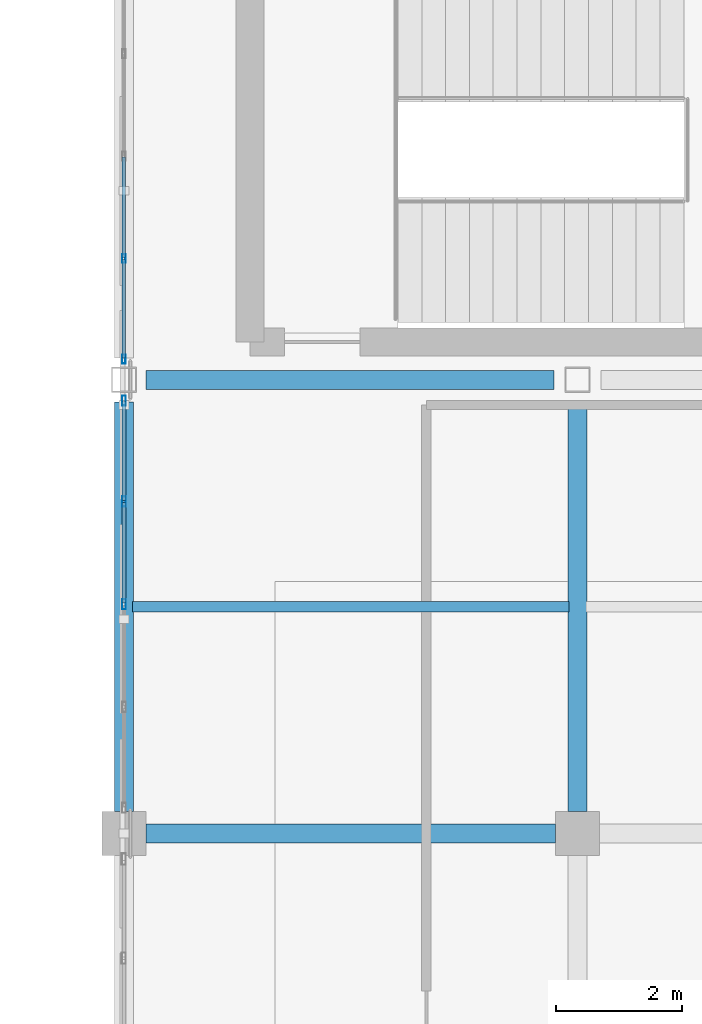
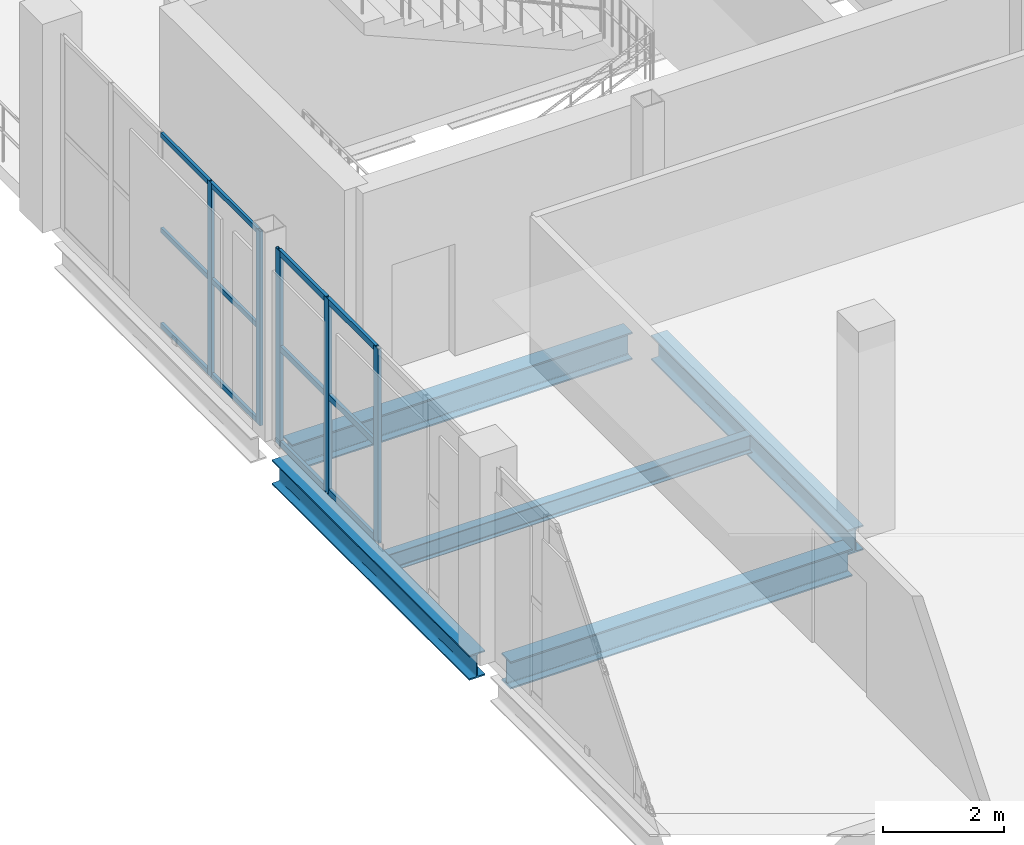
# One storey, part 76 of 130: 17 members, 5 beams, 2 elements without a shape of their own.
"""IFC4 building model written with IfcOpenShell, lengths in metres."""

import ifcopenshell
import ifcopenshell.guid

model = None  # the IFC model being written
_history = None  # IfcOwnerHistory: only IFC2X3 demands one
_inside = {}  # id of a spatial element -> (the spatial element, [elements in it])
_under = {}  # id of a project, library or spatial element -> (it, [spatial elements below it])
_declared = {}  # id of a project -> (the project, [libraries it declares])
_typed = {}  # id of a type object -> (the type object, [elements of that type])
_made_of = {}  # id of a material, layer set ... -> (it, [elements and type objects made of it])


def new_model(schema):
    """Start an empty IFC model of exactly this schema.

    Asked for "IFC4X3", IfcOpenShell would pick the latest addendum, in which some entities
    have other attributes; the version numbers below select the first issue.
    IFC2X3 requires an IfcOwnerHistory on every rooted entity: one is made here for all.
    """
    global model, _history
    if schema == "IFC4X3":
        model = ifcopenshell.file(schema_version=(4, 3, 0, 0))
    else:
        model = ifcopenshell.file(schema=schema)
    _inside.clear()
    _under.clear()
    _declared.clear()
    _typed.clear()
    _made_of.clear()
    _history = None
    if model.schema == "IFC2X3":
        org = make("IfcOrganization", Name="unknown")
        user = make(
            "IfcPersonAndOrganization",
            ThePerson=make("IfcPerson", FamilyName="unknown"),
            TheOrganization=org,
        )
        app = make(
            "IfcApplication",
            ApplicationDeveloper=org,
            Version="unknown",
            ApplicationFullName="unknown",
            ApplicationIdentifier="unknown",
        )
        _history = make(
            "IfcOwnerHistory",
            OwningUser=user,
            OwningApplication=app,
            ChangeAction="ADDED",
            CreationDate=0,
        )
    return model


def make(cls, **values):
    """One entity of the class cls with the attributes given. An attribute that is None is left unset."""
    return model.create_entity(
        cls, **{name: value for name, value in values.items() if value is not None}
    )


def rooted(cls, **values):
    """An entity with a GlobalId (a new one), such as an element, a storey or a relation."""
    return make(cls, GlobalId=ifcopenshell.guid.new(), OwnerHistory=_history, **values)


def si_unit(unit_type, name, prefix=None):
    """IfcSIUnit, for example si_unit("LENGTHUNIT", "METRE", prefix="MILLI")."""
    return make("IfcSIUnit", UnitType=unit_type, Prefix=prefix, Name=name)


def assignment(units):
    """IfcUnitAssignment: the units of a project."""
    return None if units is None else make("IfcUnitAssignment", Units=units)


def point(xyz):
    """IfcCartesianPoint."""
    return None if xyz is None else make("IfcCartesianPoint", Coordinates=xyz)


def direction(xyz):
    """IfcDirection."""
    return None if xyz is None else make("IfcDirection", DirectionRatios=xyz)


def frame(location, z_axis=None, x_axis=None):
    """IfcAxis2Placement3D, a coordinate frame: its origin and axes. An axis left out is left unset."""
    return make(
        "IfcAxis2Placement3D",
        Location=point(location),
        Axis=direction(z_axis),
        RefDirection=direction(x_axis),
    )


def frame_2d(location, x_axis=None):
    """IfcAxis2Placement2D, a coordinate frame in the plane: its origin and x axis."""
    return make(
        "IfcAxis2Placement2D", Location=point(location), RefDirection=direction(x_axis)
    )


def origin():
    """The frame at (0, 0, 0) with its axes left unset."""
    return frame((0.0, 0.0, 0.0))


def origin_2d():
    """The frame at (0, 0) in the plane with its x axis left unset."""
    return frame_2d((0.0, 0.0))


def place(relative_to, where):
    """IfcLocalPlacement: puts the frame where relative to a parent placement (None: the world)."""
    return make(
        "IfcLocalPlacement", PlacementRelTo=relative_to, RelativePlacement=where
    )


def context(
    kind, dimensions, precision=None, world=None, true_north=None, identifier=None
):
    """IfcGeometricRepresentationContext, for example the 3D "Model" context."""
    return make(
        "IfcGeometricRepresentationContext",
        ContextIdentifier=identifier,
        ContextType=kind,
        CoordinateSpaceDimension=dimensions,
        Precision=precision,
        WorldCoordinateSystem=world,
        TrueNorth=true_north,
    )


def subcontext(parent, identifier, kind, view, scale=None):
    """IfcGeometricRepresentationSubContext, for example "Body" below "Model"."""
    return make(
        "IfcGeometricRepresentationSubContext",
        ContextIdentifier=identifier,
        ContextType=kind,
        ParentContext=parent,
        TargetScale=scale,
        TargetView=view,
    )


def project(units=None, contexts=None):
    """IfcProject with its units and contexts."""
    return rooted(
        "IfcProject",
        Name="project",
        RepresentationContexts=contexts,
        UnitsInContext=assignment(units),
    )


def spatial(cls, under=None, at=None, **own):
    """A site, building, storey or space (cls), placed at a placement, below another one or the project."""
    s = rooted(cls, ObjectPlacement=at, **own)
    if under is not None:
        _under.setdefault(under.id(), (under, []))[1].append(s)
    return s


def profile(cls, at=None, kind="AREA", **sizes):
    """A parametric profile (cls). Its sizes go by their IFC names, for example OverallWidth=200.0."""
    return make(cls, ProfileType=kind, Position=at, **sizes)


def hollow_rectangle(**sizes):
    """IfcRectangleHollowProfileDef."""
    return profile("IfcRectangleHollowProfileDef", **sizes)


def i_section(**sizes):
    """IfcIShapeProfileDef."""
    return profile("IfcIShapeProfileDef", **sizes)


def extrude(swept, where, along, depth):
    """IfcExtrudedAreaSolid: the profile swept, set in the frame where, extruded along a direction by depth."""
    return make(
        "IfcExtrudedAreaSolid",
        SweptArea=swept,
        Position=where,
        ExtrudedDirection=direction(along),
        Depth=depth,
    )


def shape(context_of_items, identifier, shape_type, items):
    """IfcShapeRepresentation: the items that make up one representation, for example the "Body"."""
    return make(
        "IfcShapeRepresentation",
        ContextOfItems=context_of_items,
        RepresentationIdentifier=identifier,
        RepresentationType=shape_type,
        Items=items,
    )


def material(Name=None, Category=None):
    """IfcMaterial."""
    return make("IfcMaterial", Name=Name, Category=Category)


def material_profile(
    of_material, cross_section, Name=None, Category=None, Priority=None
):
    """IfcMaterialProfile: a cross section and its material."""
    return make(
        "IfcMaterialProfile",
        Name=Name,
        Material=of_material,
        Profile=cross_section,
        Priority=Priority,
        Category=Category,
    )


def profile_set(profiles, Name=None, composite=None):
    """IfcMaterialProfileSet."""
    return make(
        "IfcMaterialProfileSet",
        Name=Name,
        MaterialProfiles=profiles,
        CompositeProfile=composite,
    )


def made_of(thing, what):
    """Note that an element or type object is made of a material, layer set ...; save() writes the relation."""
    if what is not None:
        _made_of.setdefault(what.id(), (what, []))[1].append(thing)
    return thing


def type_object(cls, material=None, **own):
    """A type object (cls), such as IfcWallType, which elements share."""
    return made_of(rooted(cls, **own), material)


def element(
    cls,
    number,
    at=None,
    inside=None,
    cuts=None,
    type_object=None,
    material=None,
    context=None,
    identifier="Body",
    shape_type=None,
    held_by="IfcProductDefinitionShape",
    body=None,
    shapes=None,
    **own,
):
    """One element of the class cls, such as IfcWall. Its Tag is "e" and its number.

    at: its placement. inside: the storey or other place that contains it. cuts: it is an
    opening in that element (IfcRelVoidsElement). A single representation is given by context,
    identifier, shape_type and body (its items); several are given by shapes. held_by: the class
    of the entity that holds the representations. save() writes the other relations.
    """
    e = rooted(cls, Tag="e%d" % number, ObjectPlacement=at, **own)
    if body is not None:
        shapes = [shape(context, identifier, shape_type, body)]
    if shapes is not None:
        e.Representation = make(held_by, Representations=shapes)
    if inside is not None:
        _inside.setdefault(inside.id(), (inside, []))[1].append(e)
    if cuts is not None:
        rooted(
            "IfcRelVoidsElement", RelatingBuildingElement=cuts, RelatedOpeningElement=e
        )
    if type_object is not None:
        _typed.setdefault(type_object.id(), (type_object, []))[1].append(e)
    return made_of(e, material)


def aggregate(whole, parts):
    """IfcRelAggregates: a whole, such as a stair, and the parts it consists of."""
    return rooted("IfcRelAggregates", RelatingObject=whole, RelatedObjects=parts)


def save(model, path):
    """Write the relations noted so far, then the file.

    IfcRelAggregates (storeys below a building ...), IfcRelContainedInSpatialStructure (elements
    in a storey), IfcRelDefinesByType, IfcRelAssociatesMaterial and IfcRelDeclares: one each for
    every whole, place, type object, material and project.
    """
    for whole, parts in _under.values():
        aggregate(whole, parts)
    for where, things in _inside.values():
        rooted(
            "IfcRelContainedInSpatialStructure",
            RelatedElements=things,
            RelatingStructure=where,
        )
    for kind, things in _typed.values():
        rooted("IfcRelDefinesByType", RelatedObjects=things, RelatingType=kind)
    for what, things in _made_of.values():
        rooted("IfcRelAssociatesMaterial", RelatedObjects=things, RelatingMaterial=what)
    for by, libraries in _declared.values():
        rooted("IfcRelDeclares", RelatingContext=by, RelatedDefinitions=libraries)
    model.write(path)


model = new_model("IFC4")

# Units and contexts
model_context = context("Model", 3, precision=1e-05, world=origin(), true_north=direction((0.0, 1.0)))
body_context = subcontext(model_context, "Body", "Model", "MODEL_VIEW")
ifc_project = project(units=[si_unit("LENGTHUNIT", "METRE"), si_unit("AREAUNIT", "SQUARE_METRE"), si_unit("VOLUMEUNIT", "CUBIC_METRE"), si_unit("PLANEANGLEUNIT", "RADIAN"), si_unit("MASSUNIT", "GRAM", prefix="KILO")], contexts=[model_context])

# Site, building, storey
site_placement = place(None, origin())
site = spatial("IfcSite", under=ifc_project, at=site_placement, CompositionType="ELEMENT")
building_placement = place(site_placement, origin())
building = spatial("IfcBuilding", under=site, at=building_placement, Name="Qandorah Velis Arena", CompositionType="ELEMENT")
storey_placement = place(building_placement, frame((0.0, 0.0, 9.60009765625)))
storey = spatial("IfcBuildingStorey", under=building, at=storey_placement, Name="L02", CompositionType="ELEMENT", Elevation=9.60009765625)

# Curtain wall, members
ifc_material_1 = material(Name="Solar-control low-E double glazing", Category="glass")
curtain_wall_type_1 = type_object("IfcCurtainWallType", Name="ARC-CW-SYS08", PredefinedType="USERDEFINED", material=ifc_material_1)
curtain_wall_1_placement = place(storey_placement, origin())
curtain_wall_1 = element("IfcCurtainWall", 1, at=curtain_wall_1_placement, inside=storey, type_object=curtain_wall_type_1, Name="Unitised curtain wall L02-128", ObjectType="UNITISED CURTAIN WALL", PredefinedType="USERDEFINED")
ifc_material_2 = material(Name="Champagne-bronze anodized aluminium 6063-T6", Category="aluminium")
ifc_material_profile_1 = material_profile(ifc_material_2, hollow_rectangle(XDim=0.054931640625, YDim=0.139892578125, WallThickness=0.0029296875, at=origin_2d()), Name="ALU MULLION 55x140")
ifc_profile_set_1 = profile_set([ifc_material_profile_1], Name="Champagne-bronze anodized aluminium 6063-T6")
member_type_1 = type_object("IfcMemberType", Name="ARC-CWM-140", PredefinedType="MULLION", material=ifc_profile_set_1)
member_1_placement = place(storey_placement, frame((151.199951171875, 79.527587890625, -0.01513671875), z_axis=(0.0, 0.0, 1.0), x_axis=(-1.0, 0.0, 0.0)))
member_1 = element("IfcMember", 2, at=member_1_placement, type_object=member_type_1, Name="CW08 mullion 1", PredefinedType="MULLION", context=body_context, shape_type="SweptSolid", body=[
    extrude(hollow_rectangle(XDim=0.054931640625, YDim=0.139892578125, WallThickness=0.0029296875, at=origin_2d()), origin(), (0.0, 0.0, 1.0), 3.91015625),
])
member_2_placement = place(storey_placement, frame((151.199951171875, 81.125, -0.01513671875), z_axis=(0.0, 0.0, 1.0), x_axis=(-1.0, 0.0, 0.0)))
member_2 = element("IfcMember", 3, at=member_2_placement, type_object=member_type_1, Name="CW08 mullion 2", PredefinedType="MULLION", context=body_context, shape_type="SweptSolid", body=[
    extrude(hollow_rectangle(XDim=0.054931640625, YDim=0.139892578125, WallThickness=0.0029296875, at=origin_2d()), origin(), (0.0, 0.0, 1.0), 3.91015625),
])

curtain_wall_type_2 = type_object("IfcCurtainWallType", Name="ARC-CW-SYS07", PredefinedType="USERDEFINED", material=ifc_material_1)
curtain_wall_2_placement = place(storey_placement, origin())
curtain_wall_2 = element("IfcCurtainWall", 4, at=curtain_wall_2_placement, inside=storey, type_object=curtain_wall_type_2, Name="Unitised curtain wall L02-127", ObjectType="UNITISED CURTAIN WALL", PredefinedType="USERDEFINED")
ifc_material_profile_2 = material_profile(ifc_material_2, hollow_rectangle(XDim=0.06005859375, YDim=0.159912109375, WallThickness=0.00341796875, at=origin_2d()), Name="ALU MULLION 60x160")
ifc_profile_set_2 = profile_set([ifc_material_profile_2], Name="Champagne-bronze anodized aluminium 6063-T6")
member_type_2 = type_object("IfcMemberType", Name="ARC-CWM-160", PredefinedType="MULLION", material=ifc_profile_set_2)
member_3_placement = place(storey_placement, frame((151.199951171875, 75.637451171875, -0.01513671875), z_axis=(0.0, 0.0, 1.0), x_axis=(-1.0, 0.0, 0.0)))
member_3 = element("IfcMember", 5, at=member_3_placement, type_object=member_type_2, Name="CW07 mullion 3", PredefinedType="MULLION", context=body_context, shape_type="SweptSolid", body=[
    extrude(hollow_rectangle(XDim=0.06005859375, YDim=0.159912109375, WallThickness=0.00341796875, at=origin_2d()), origin(), (0.0, 0.0, 1.0), 3.91015625),
])
member_4_placement = place(storey_placement, frame((151.199951171875, 77.268798828125, -0.01513671875), z_axis=(0.0, 0.0, 1.0), x_axis=(-1.0, 0.0, 0.0)))
member_4 = element("IfcMember", 6, at=member_4_placement, type_object=member_type_2, Name="CW07 mullion 4", PredefinedType="MULLION", context=body_context, shape_type="SweptSolid", body=[
    extrude(hollow_rectangle(XDim=0.06005859375, YDim=0.159912109375, WallThickness=0.00341796875, at=origin_2d()), origin(), (0.0, 0.0, 1.0), 3.91015625),
])
member_5_placement = place(storey_placement, frame((151.199951171875, 78.8701171875, -0.01513671875), z_axis=(0.0, 0.0, 1.0), x_axis=(-1.0, 0.0, 0.0)))
member_5 = element("IfcMember", 7, at=member_5_placement, type_object=member_type_2, Name="CW07 mullion 5", PredefinedType="MULLION", context=body_context, shape_type="SweptSolid", body=[
    extrude(hollow_rectangle(XDim=0.06005859375, YDim=0.159912109375, WallThickness=0.00341796875, at=origin_2d()), origin(), (0.0, 0.0, 1.0), 3.91015625),
])

# Member
ifc_material_profile_3 = material_profile(ifc_material_2, hollow_rectangle(XDim=0.054931640625, YDim=0.10009765625, WallThickness=0.0029296875, at=origin_2d()), Name="ALU TRANSOM 55x100")
ifc_profile_set_3 = profile_set([ifc_material_profile_3], Name="Champagne-bronze anodized aluminium 6063-T6")
member_type_3 = type_object("IfcMemberType", Name="ARC-CWT-100", PredefinedType="USERDEFINED", material=ifc_profile_set_3)
member_6_placement = place(storey_placement, frame((151.199951171875, 79.54296875, 0.02734375), z_axis=(0.0, 1.0, 0.0), x_axis=(-1.0, 0.0, 0.0)))
member_6 = element("IfcMember", 8, at=member_6_placement, type_object=member_type_3, Name="CW08 transom 1.1", ObjectType="TRANSOM", PredefinedType="USERDEFINED", context=body_context, shape_type="SweptSolid", body=[
    extrude(hollow_rectangle(XDim=0.054931640625, YDim=0.10009765625, WallThickness=0.0029296875, at=origin_2d()), origin(), (0.0, 0.0, 1.0), 1.566650390625),
])

member_7_placement = place(storey_placement, frame((151.199951171875, 79.54296875, 1.93994140625), z_axis=(0.0, 1.0, 0.0), x_axis=(-1.0, 0.0, 0.0)))
member_7 = element("IfcMember", 9, at=member_7_placement, type_object=member_type_3, Name="CW08 transom 1.2", ObjectType="TRANSOM", PredefinedType="USERDEFINED", context=body_context, shape_type="SweptSolid", body=[
    extrude(hollow_rectangle(XDim=0.054931640625, YDim=0.10009765625, WallThickness=0.0029296875, at=origin_2d()), origin(), (0.0, 0.0, 1.0), 1.566650390625),
])

member_8_placement = place(storey_placement, frame((151.199951171875, 79.54296875, 3.852294921875), z_axis=(0.0, 1.0, 0.0), x_axis=(-1.0, 0.0, 0.0)))
member_8 = element("IfcMember", 10, at=member_8_placement, type_object=member_type_3, Name="CW08 transom 1.3", ObjectType="TRANSOM", PredefinedType="USERDEFINED", context=body_context, shape_type="SweptSolid", body=[
    extrude(hollow_rectangle(XDim=0.054931640625, YDim=0.10009765625, WallThickness=0.0029296875, at=origin_2d()), origin(), (0.0, 0.0, 1.0), 1.566650390625),
])

member_9_placement = place(storey_placement, frame((151.199951171875, 81.140380859375, 0.02734375), z_axis=(0.0, 1.0, 0.0), x_axis=(-1.0, 0.0, 0.0)))
member_9 = element("IfcMember", 11, at=member_9_placement, type_object=member_type_3, Name="CW08 transom 2.1", ObjectType="TRANSOM", PredefinedType="USERDEFINED", context=body_context, shape_type="SweptSolid", body=[
    extrude(hollow_rectangle(XDim=0.054931640625, YDim=0.10009765625, WallThickness=0.0029296875, at=origin_2d()), origin(), (0.0, 0.0, 1.0), 1.59423828125),
])

member_10_placement = place(storey_placement, frame((151.199951171875, 81.140380859375, 1.93994140625), z_axis=(0.0, 1.0, 0.0), x_axis=(-1.0, 0.0, 0.0)))
member_10 = element("IfcMember", 12, at=member_10_placement, type_object=member_type_3, Name="CW08 transom 2.2", ObjectType="TRANSOM", PredefinedType="USERDEFINED", context=body_context, shape_type="SweptSolid", body=[
    extrude(hollow_rectangle(XDim=0.054931640625, YDim=0.10009765625, WallThickness=0.0029296875, at=origin_2d()), origin(), (0.0, 0.0, 1.0), 1.59423828125),
])

member_11_placement = place(storey_placement, frame((151.199951171875, 81.140380859375, 3.852294921875), z_axis=(0.0, 1.0, 0.0), x_axis=(-1.0, 0.0, 0.0)))
member_11 = element("IfcMember", 13, at=member_11_placement, type_object=member_type_3, Name="CW08 transom 2.3", ObjectType="TRANSOM", PredefinedType="USERDEFINED", context=body_context, shape_type="SweptSolid", body=[
    extrude(hollow_rectangle(XDim=0.054931640625, YDim=0.10009765625, WallThickness=0.0029296875, at=origin_2d()), origin(), (0.0, 0.0, 1.0), 1.59423828125),
])

aggregate(curtain_wall_1, [member_1, member_2, member_6, member_7, member_8, member_9, member_10, member_11])

ifc_material_profile_4 = material_profile(ifc_material_2, hollow_rectangle(XDim=0.06005859375, YDim=0.1201171875, WallThickness=0.0029296875, at=origin_2d()), Name="ALU TRANSOM 60x120")
ifc_profile_set_4 = profile_set([ifc_material_profile_4], Name="Champagne-bronze anodized aluminium 6063-T6")
member_type_4 = type_object("IfcMemberType", Name="ARC-CWT-120", PredefinedType="USERDEFINED", material=ifc_profile_set_4)
member_12_placement = place(storey_placement, frame((151.199951171875, 75.655517578125, 0.02978515625), z_axis=(0.0, 1.0, 0.0), x_axis=(-1.0, 0.0, 0.0)))
member_12 = element("IfcMember", 14, at=member_12_placement, type_object=member_type_4, Name="CW07 transom 3.1", ObjectType="TRANSOM", PredefinedType="USERDEFINED", context=body_context, shape_type="SweptSolid", body=[
    extrude(hollow_rectangle(XDim=0.06005859375, YDim=0.1201171875, WallThickness=0.0029296875, at=origin_2d()), origin(), (0.0, 0.0, 1.0), 1.59521484375),
])

member_13_placement = place(storey_placement, frame((151.199951171875, 75.655517578125, 1.93994140625), z_axis=(0.0, 1.0, 0.0), x_axis=(-1.0, 0.0, 0.0)))
member_13 = element("IfcMember", 15, at=member_13_placement, type_object=member_type_4, Name="CW07 transom 3.2", ObjectType="TRANSOM", PredefinedType="USERDEFINED", context=body_context, shape_type="SweptSolid", body=[
    extrude(hollow_rectangle(XDim=0.06005859375, YDim=0.1201171875, WallThickness=0.0029296875, at=origin_2d()), origin(), (0.0, 0.0, 1.0), 1.59521484375),
])

member_14_placement = place(storey_placement, frame((151.199951171875, 75.655517578125, 3.849853515625), z_axis=(0.0, 1.0, 0.0), x_axis=(-1.0, 0.0, 0.0)))
member_14 = element("IfcMember", 16, at=member_14_placement, type_object=member_type_4, Name="CW07 transom 3.3", ObjectType="TRANSOM", PredefinedType="USERDEFINED", context=body_context, shape_type="SweptSolid", body=[
    extrude(hollow_rectangle(XDim=0.06005859375, YDim=0.1201171875, WallThickness=0.0029296875, at=origin_2d()), origin(), (0.0, 0.0, 1.0), 1.59521484375),
])

member_15_placement = place(storey_placement, frame((151.199951171875, 77.28662109375, 0.02978515625), z_axis=(0.0, 1.0, 0.0), x_axis=(-1.0, 0.0, 0.0)))
member_15 = element("IfcMember", 17, at=member_15_placement, type_object=member_type_4, Name="CW07 transom 4.1", ObjectType="TRANSOM", PredefinedType="USERDEFINED", context=body_context, shape_type="SweptSolid", body=[
    extrude(hollow_rectangle(XDim=0.06005859375, YDim=0.1201171875, WallThickness=0.0029296875, at=origin_2d()), origin(), (0.0, 0.0, 1.0), 1.5654296875),
])

member_16_placement = place(storey_placement, frame((151.199951171875, 77.28662109375, 1.93994140625), z_axis=(0.0, 1.0, 0.0), x_axis=(-1.0, 0.0, 0.0)))
member_16 = element("IfcMember", 18, at=member_16_placement, type_object=member_type_4, Name="CW07 transom 4.2", ObjectType="TRANSOM", PredefinedType="USERDEFINED", context=body_context, shape_type="SweptSolid", body=[
    extrude(hollow_rectangle(XDim=0.06005859375, YDim=0.1201171875, WallThickness=0.0029296875, at=origin_2d()), origin(), (0.0, 0.0, 1.0), 1.5654296875),
])

member_17_placement = place(storey_placement, frame((151.199951171875, 77.28662109375, 3.849853515625), z_axis=(0.0, 1.0, 0.0), x_axis=(-1.0, 0.0, 0.0)))
member_17 = element("IfcMember", 19, at=member_17_placement, type_object=member_type_4, Name="CW07 transom 4.3", ObjectType="TRANSOM", PredefinedType="USERDEFINED", context=body_context, shape_type="SweptSolid", body=[
    extrude(hollow_rectangle(XDim=0.06005859375, YDim=0.1201171875, WallThickness=0.0029296875, at=origin_2d()), origin(), (0.0, 0.0, 1.0), 1.5654296875),
])

aggregate(curtain_wall_2, [member_3, member_4, member_5, member_12, member_13, member_14, member_15, member_16, member_17])

# Beams
ifc_material_3 = material(Name="Steel S355", Category="steel")
ifc_material_profile_5 = material_profile(ifc_material_3, i_section(OverallWidth=0.300048828125, OverallDepth=0.5, WebThickness=0.014404296875, FlangeThickness=0.028076171875, FilletRadius=0.027099609375, at=origin_2d()), Name="HEB 500")
ifc_profile_set_5 = profile_set([ifc_material_profile_5], Name="Steel S355")
beam_type_1 = type_object("IfcBeamType", Name="STR-BM-HEB500", PredefinedType="BEAM", material=ifc_profile_set_5)
beam_1_placement = place(storey_placement, frame((151.199951171875, 72.35009765625, -0.530029296875), z_axis=(0.0, 1.0, 0.0), x_axis=(-1.0, 0.0, 0.0)))
element("IfcBeam", 20, at=beam_1_placement, inside=storey, type_object=beam_type_1, Name="Primary floor girder L02 Y-336", PredefinedType="BEAM", context=body_context, shape_type="SweptSolid", body=[
    extrude(i_section(OverallWidth=0.300048828125, OverallDepth=0.5, WebThickness=0.014404296875, FlangeThickness=0.028076171875, FilletRadius=0.027099609375, at=origin_2d()), origin(), (0.0, 0.0, 1.0), 6.5),
])
beam_2_placement = place(storey_placement, frame((158.39990234375, 72.35009765625, -0.530029296875), z_axis=(0.0, 1.0, 0.0), x_axis=(-1.0, 0.0, 0.0)))
element("IfcBeam", 21, at=beam_2_placement, inside=storey, type_object=beam_type_1, Name="Primary floor girder L02 Y-340", PredefinedType="BEAM", context=body_context, shape_type="SweptSolid", body=[
    extrude(i_section(OverallWidth=0.300048828125, OverallDepth=0.5, WebThickness=0.014404296875, FlangeThickness=0.028076171875, FilletRadius=0.027099609375, at=origin_2d()), origin(), (0.0, 0.0, 1.0), 6.474853515625),
])
ifc_material_profile_6 = material_profile(ifc_material_3, i_section(OverallWidth=0.300048828125, OverallDepth=0.550048828125, WebThickness=0.014892578125, FlangeThickness=0.029052734375, FilletRadius=0.027099609375, at=origin_2d()), Name="HEB 550")
ifc_profile_set_6 = profile_set([ifc_material_profile_6], Name="Steel S355")
beam_type_2 = type_object("IfcBeamType", Name="STR-BM-HEB550", PredefinedType="BEAM", material=ifc_profile_set_6)
beam_3_placement = place(storey_placement, frame((151.550048828125, 72.0, -0.55517578125), z_axis=(1.0, 0.0, 0.0), x_axis=(0.0, 1.0, 0.0)))
element("IfcBeam", 22, at=beam_3_placement, inside=storey, type_object=beam_type_2, Name="Primary floor girder L02 X-101", PredefinedType="BEAM", context=body_context, shape_type="SweptSolid", body=[
    extrude(i_section(OverallWidth=0.300048828125, OverallDepth=0.550048828125, WebThickness=0.014892578125, FlangeThickness=0.029052734375, FilletRadius=0.027099609375, at=origin_2d()), origin(), (0.0, 0.0, 1.0), 6.5),
])
beam_4_placement = place(storey_placement, frame((151.550048828125, 79.199951171875, -0.55517578125), z_axis=(1.0, 0.0, 0.0), x_axis=(0.0, 1.0, 0.0)))
element("IfcBeam", 23, at=beam_4_placement, inside=storey, type_object=beam_type_2, Name="Primary floor girder L02 X-107", PredefinedType="BEAM", context=body_context, shape_type="SweptSolid", body=[
    extrude(i_section(OverallWidth=0.300048828125, OverallDepth=0.550048828125, WebThickness=0.014892578125, FlangeThickness=0.029052734375, FilletRadius=0.027099609375, at=origin_2d()), origin(), (0.0, 0.0, 1.0), 6.474853515625),
])
ifc_material_profile_7 = material_profile(ifc_material_3, i_section(OverallWidth=0.169921875, OverallDepth=0.360107421875, WebThickness=0.008056640625, FlangeThickness=0.0126953125, FilletRadius=0.01806640625, at=origin_2d()), Name="IPE 360")
ifc_profile_set_7 = profile_set([ifc_material_profile_7], Name="Steel S355")
beam_type_3 = type_object("IfcBeamType", Name="STR-JST-IPE360", PredefinedType="JOIST", material=ifc_profile_set_7)
beam_5_placement = place(storey_placement, frame((151.3349609375, 75.60009765625, -0.460205078125), z_axis=(1.0, 0.0, 0.0), x_axis=(0.0, 1.0, 0.0)))
element("IfcBeam", 24, at=beam_5_placement, inside=storey, type_object=beam_type_3, Name="Secondary floor joist L02-100", PredefinedType="JOIST", context=body_context, shape_type="SweptSolid", body=[
    extrude(i_section(OverallWidth=0.169921875, OverallDepth=0.360107421875, WebThickness=0.008056640625, FlangeThickness=0.0126953125, FilletRadius=0.01806640625, at=origin_2d()), origin(), (0.0, 0.0, 1.0), 6.929931640625),
])

save(model, "model.ifc")
